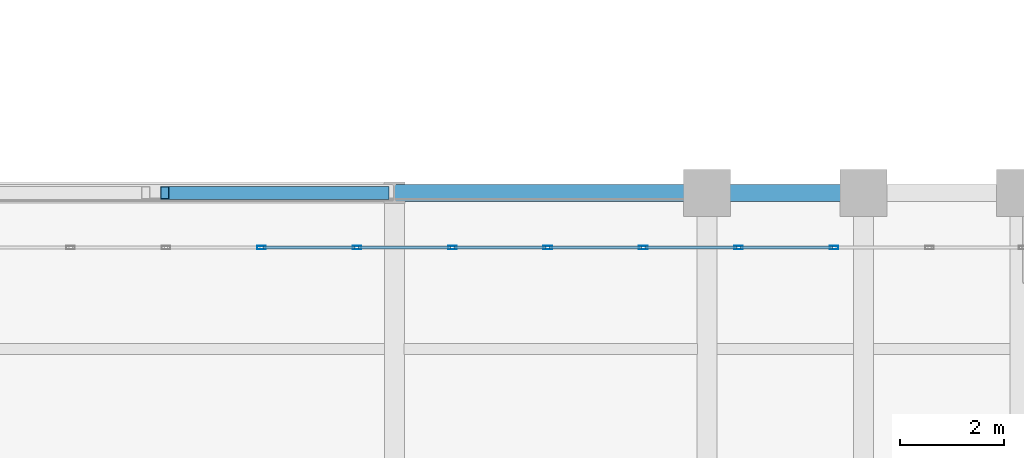
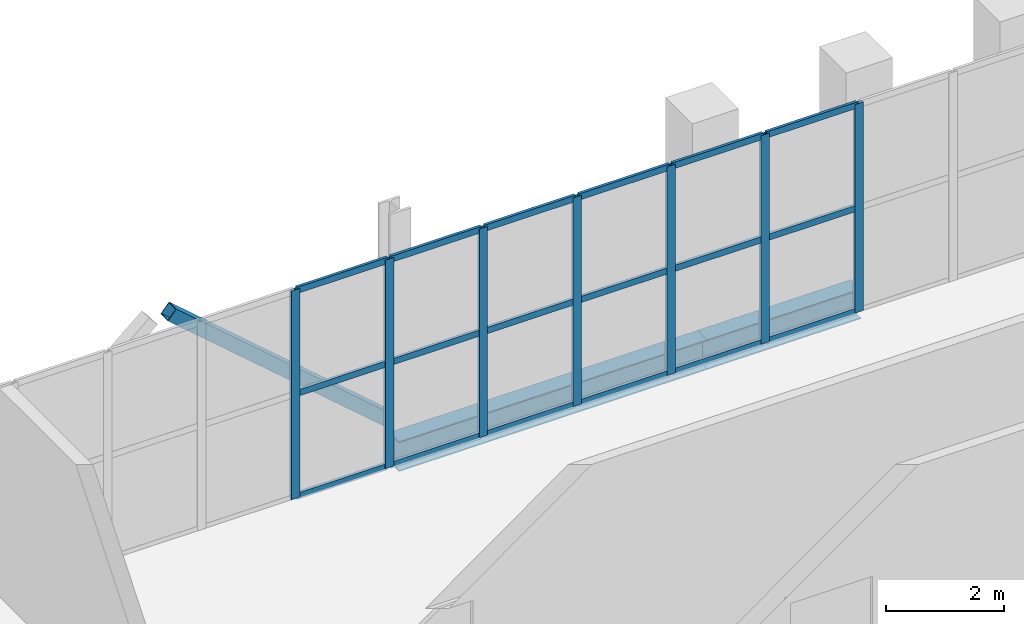
# One storey, part 17 of 26: 26 members, 2 beams, 1 element without a shape of its own.
"""IFC4 building model written with IfcOpenShell, lengths in metres."""

from ifc_helpers import new_model, si_unit, direction, frame, origin, origin_2d, place, context, subcontext, project, spatial, hollow_rectangle, i_section, extrude, material, layer, layer_set, material_profile, profile_set, type_object, element, aggregate, save


model = new_model("IFC4")

# Units and contexts
model_context = context("Model", 3, precision=1e-05, world=origin(), true_north=direction((0.0, 1.0)))
body_context = subcontext(model_context, "Body", "Model", "MODEL_VIEW")
ifc_project = project(units=[si_unit("LENGTHUNIT", "METRE"), si_unit("AREAUNIT", "SQUARE_METRE"), si_unit("VOLUMEUNIT", "CUBIC_METRE"), si_unit("PLANEANGLEUNIT", "RADIAN"), si_unit("MASSUNIT", "GRAM", prefix="KILO")], contexts=[model_context])

# Site, building, storey
site_placement = place(None, origin())
site = spatial("IfcSite", under=ifc_project, at=site_placement, CompositionType="ELEMENT")
building_placement = place(site_placement, origin())
building = spatial("IfcBuilding", under=site, at=building_placement, Name="Mawjdan Bourse Tower", CompositionType="ELEMENT")
storey_placement = place(building_placement, frame((0.0, 0.0, 226.800048828125)))
storey = spatial("IfcBuildingStorey", under=building, at=storey_placement, Name="L55", CompositionType="ELEMENT", Elevation=226.800048828125)

# Member
ifc_material_1 = material(Name="Structural Steel S355", Category="steel")
ifc_material_profile_1 = material_profile(ifc_material_1, hollow_rectangle(XDim=0.25, YDim=0.25, WallThickness=0.012451171875, at=origin_2d()), Name="HSS250X250X12.5")
ifc_profile_set_1 = profile_set([ifc_material_profile_1], Name="Structural Steel S355")
member_type_1 = type_object("IfcMemberType", Name="BRC-HSS250X250X12.5", PredefinedType="BRACE", material=ifc_profile_set_1)
member_1_placement = place(storey_placement, frame((37.595947265625, 21.0, 3.849853515625), z_axis=(0.756383065472, 0.0, -0.65412893092), x_axis=(0.0, 1.0, 0.0)))
element("IfcMember", 1, at=member_1_placement, inside=storey, type_object=member_type_1, Name="L55 East Outrigger Truss 2 Diagonal 4", PredefinedType="BRACE", context=body_context, shape_type="SweptSolid", body=[
    extrude(hollow_rectangle(XDim=0.25, YDim=0.25, WallThickness=0.012451171875, at=origin_2d()), origin(), (0.0, 0.0, 1.0), 5.579833984375),
])

# Curtain wall, members
ifc_material_2 = material(Name="Thermally Broken Aluminium and Solar Glass", Category="aluminium")
ifc_layer = layer(ifc_material_2, 0.219970703125)
ifc_layer_set = layer_set([ifc_layer], Name="Thermally Broken Aluminium and Solar Glass")
curtain_wall_type = type_object("IfcCurtainWallType", Name="CW-RFG", PredefinedType="USERDEFINED", material=ifc_layer_set)
curtain_wall_placement = place(storey_placement, origin())
curtain_wall = element("IfcCurtainWall", 2, at=curtain_wall_placement, inside=storey, type_object=curtain_wall_type, Name="L55 Refuge Band North Louvre Curtain Wall", ObjectType="REFUGE BAND LOUVRE SCREEN", PredefinedType="USERDEFINED")
ifc_material_3 = material(Name="Thermally Broken Anodised Aluminium", Category="aluminium")
ifc_material_profile_2 = material_profile(ifc_material_3, hollow_rectangle(XDim=0.06494140625, YDim=0.1650390625, WallThickness=0.00390625, at=origin_2d()), Name="ALU-MUL-165X65")
ifc_profile_set_2 = profile_set([ifc_material_profile_2], Name="Thermally Broken Anodised Aluminium")
member_type_2 = type_object("IfcMemberType", Name="MUL-ALU-MUL-165X65", PredefinedType="MULLION", material=ifc_profile_set_2)
member_2_placement = place(storey_placement, frame((50.4375, 19.949951171875, 0.0), z_axis=(0.0, 0.0, 1.0), x_axis=(0.0, -1.0, 0.0)))
member_2 = element("IfcMember", 3, at=member_2_placement, type_object=member_type_2, Name="CW-RFG-L55-RFG-N mullion 3", PredefinedType="MULLION", context=body_context, shape_type="SweptSolid", body=[
    extrude(hollow_rectangle(XDim=0.06494140625, YDim=0.1650390625, WallThickness=0.00390625, at=origin_2d()), origin(), (0.0, 0.0, 1.0), 4.300048828125),
])
member_3_placement = place(storey_placement, frame((48.606201171875, 19.949951171875, 0.0), z_axis=(0.0, 0.0, 1.0), x_axis=(0.0, -1.0, 0.0)))
member_3 = element("IfcMember", 4, at=member_3_placement, type_object=member_type_2, Name="CW-RFG-L55-RFG-N mullion 4", PredefinedType="MULLION", context=body_context, shape_type="SweptSolid", body=[
    extrude(hollow_rectangle(XDim=0.06494140625, YDim=0.1650390625, WallThickness=0.00390625, at=origin_2d()), origin(), (0.0, 0.0, 1.0), 4.300048828125),
])
member_4_placement = place(storey_placement, frame((46.77490234375, 19.949951171875, 0.0), z_axis=(0.0, 0.0, 1.0), x_axis=(0.0, -1.0, 0.0)))
member_4 = element("IfcMember", 5, at=member_4_placement, type_object=member_type_2, Name="CW-RFG-L55-RFG-N mullion 5", PredefinedType="MULLION", context=body_context, shape_type="SweptSolid", body=[
    extrude(hollow_rectangle(XDim=0.06494140625, YDim=0.1650390625, WallThickness=0.00390625, at=origin_2d()), origin(), (0.0, 0.0, 1.0), 4.300048828125),
])
member_5_placement = place(storey_placement, frame((44.94384765625, 19.949951171875, 0.0), z_axis=(0.0, 0.0, 1.0), x_axis=(0.0, -1.0, 0.0)))
member_5 = element("IfcMember", 6, at=member_5_placement, type_object=member_type_2, Name="CW-RFG-L55-RFG-N mullion 6", PredefinedType="MULLION", context=body_context, shape_type="SweptSolid", body=[
    extrude(hollow_rectangle(XDim=0.06494140625, YDim=0.1650390625, WallThickness=0.00390625, at=origin_2d()), origin(), (0.0, 0.0, 1.0), 4.300048828125),
])
member_6_placement = place(storey_placement, frame((43.112548828125, 19.949951171875, 0.0), z_axis=(0.0, 0.0, 1.0), x_axis=(0.0, -1.0, 0.0)))
member_6 = element("IfcMember", 7, at=member_6_placement, type_object=member_type_2, Name="CW-RFG-L55-RFG-N mullion 7", PredefinedType="MULLION", context=body_context, shape_type="SweptSolid", body=[
    extrude(hollow_rectangle(XDim=0.06494140625, YDim=0.1650390625, WallThickness=0.00390625, at=origin_2d()), origin(), (0.0, 0.0, 1.0), 4.300048828125),
])
member_7_placement = place(storey_placement, frame((41.28125, 19.949951171875, 0.0), z_axis=(0.0, 0.0, 1.0), x_axis=(0.0, -1.0, 0.0)))
member_7 = element("IfcMember", 8, at=member_7_placement, type_object=member_type_2, Name="CW-RFG-L55-RFG-N mullion 8", PredefinedType="MULLION", context=body_context, shape_type="SweptSolid", body=[
    extrude(hollow_rectangle(XDim=0.06494140625, YDim=0.1650390625, WallThickness=0.00390625, at=origin_2d()), origin(), (0.0, 0.0, 1.0), 4.300048828125),
])
member_8_placement = place(storey_placement, frame((39.449951171875, 19.949951171875, 0.0), z_axis=(0.0, 0.0, 1.0), x_axis=(0.0, -1.0, 0.0)))
member_8 = element("IfcMember", 9, at=member_8_placement, type_object=member_type_2, Name="CW-RFG-L55-RFG-N mullion 9", PredefinedType="MULLION", context=body_context, shape_type="SweptSolid", body=[
    extrude(hollow_rectangle(XDim=0.06494140625, YDim=0.1650390625, WallThickness=0.00390625, at=origin_2d()), origin(), (0.0, 0.0, 1.0), 4.300048828125),
])

# Beams
ifc_material_profile_3 = material_profile(ifc_material_1, i_section(OverallWidth=0.324951171875, OverallDepth=0.616943359375, WebThickness=0.013916015625, FlangeThickness=0.021484375, FilletRadius=0.017333984375, at=origin_2d()), Name="W24X117")
ifc_profile_set_3 = profile_set([ifc_material_profile_3], Name="Structural Steel S355")
beam_type = type_object("IfcBeamType", Name="SPN-W24X117", PredefinedType="SPANDREL", material=ifc_profile_set_3)
beam_1_placement = place(storey_placement, frame((42.0, 21.0, -0.588623046875), z_axis=(1.0, 0.0, 0.0), x_axis=(0.0, 1.0, 0.0)))
element("IfcBeam", 10, at=beam_1_placement, inside=storey, type_object=beam_type, Name="L55 Perimeter Masonry-Shelf Spandrel 014", PredefinedType="SPANDREL", context=body_context, shape_type="SweptSolid", body=[
    extrude(i_section(OverallWidth=0.324951171875, OverallDepth=0.616943359375, WebThickness=0.013916015625, FlangeThickness=0.021484375, FilletRadius=0.017333984375, at=origin_2d()), origin(), (0.0, 0.0, 1.0), 6.0),
])
beam_2_placement = place(storey_placement, frame((48.0, 21.0, -0.588623046875), z_axis=(1.0, 0.0, 0.0), x_axis=(0.0, 1.0, 0.0)))
element("IfcBeam", 11, at=beam_2_placement, inside=storey, type_object=beam_type, Name="L55 Perimeter Masonry-Shelf Spandrel 015", PredefinedType="SPANDREL", context=body_context, shape_type="SweptSolid", body=[
    extrude(i_section(OverallWidth=0.324951171875, OverallDepth=0.616943359375, WebThickness=0.013916015625, FlangeThickness=0.021484375, FilletRadius=0.017333984375, at=origin_2d()), origin(), (0.0, 0.0, 1.0), 3.0),
])

# Member
ifc_material_profile_4 = material_profile(ifc_material_3, hollow_rectangle(XDim=0.054931640625, YDim=0.1298828125, WallThickness=0.00341796875, at=origin_2d()), Name="ALU-TRN-130X55")
ifc_profile_set_4 = profile_set([ifc_material_profile_4], Name="Thermally Broken Anodised Aluminium")
member_type_3 = type_object("IfcMemberType", Name="TRN-ALU-TRN-130X55", PredefinedType="USERDEFINED", material=ifc_profile_set_4)
member_9_placement = place(storey_placement, frame((50.405029296875, 19.949951171875, 0.02734375), z_axis=(-1.0, 0.0, 0.0), x_axis=(0.0, -1.0, 0.0)))
member_9 = element("IfcMember", 12, at=member_9_placement, type_object=member_type_3, Name="CW-RFG-L55-RFG-N transom 3.1", ObjectType="TRANSOM", PredefinedType="USERDEFINED", context=body_context, shape_type="SweptSolid", body=[
    extrude(hollow_rectangle(XDim=0.054931640625, YDim=0.1298828125, WallThickness=0.00341796875, at=origin_2d()), origin(), (0.0, 0.0, 1.0), 1.766357421875),
])

member_10_placement = place(storey_placement, frame((50.405029296875, 19.949951171875, 2.14990234375), z_axis=(-1.0, 0.0, 0.0), x_axis=(0.0, -1.0, 0.0)))
member_10 = element("IfcMember", 13, at=member_10_placement, type_object=member_type_3, Name="CW-RFG-L55-RFG-N transom 3.2", ObjectType="TRANSOM", PredefinedType="USERDEFINED", context=body_context, shape_type="SweptSolid", body=[
    extrude(hollow_rectangle(XDim=0.054931640625, YDim=0.1298828125, WallThickness=0.00341796875, at=origin_2d()), origin(), (0.0, 0.0, 1.0), 1.766357421875),
])

member_11_placement = place(storey_placement, frame((50.405029296875, 19.949951171875, 4.2724609375), z_axis=(-1.0, 0.0, 0.0), x_axis=(0.0, -1.0, 0.0)))
member_11 = element("IfcMember", 14, at=member_11_placement, type_object=member_type_3, Name="CW-RFG-L55-RFG-N transom 3.3", ObjectType="TRANSOM", PredefinedType="USERDEFINED", context=body_context, shape_type="SweptSolid", body=[
    extrude(hollow_rectangle(XDim=0.054931640625, YDim=0.1298828125, WallThickness=0.00341796875, at=origin_2d()), origin(), (0.0, 0.0, 1.0), 1.766357421875),
])

member_12_placement = place(storey_placement, frame((48.57373046875, 19.949951171875, 0.02734375), z_axis=(-1.0, 0.0, 0.0), x_axis=(0.0, -1.0, 0.0)))
member_12 = element("IfcMember", 15, at=member_12_placement, type_object=member_type_3, Name="CW-RFG-L55-RFG-N transom 4.1", ObjectType="TRANSOM", PredefinedType="USERDEFINED", context=body_context, shape_type="SweptSolid", body=[
    extrude(hollow_rectangle(XDim=0.054931640625, YDim=0.1298828125, WallThickness=0.00341796875, at=origin_2d()), origin(), (0.0, 0.0, 1.0), 1.76611328125),
])

member_13_placement = place(storey_placement, frame((48.57373046875, 19.949951171875, 2.14990234375), z_axis=(-1.0, 0.0, 0.0), x_axis=(0.0, -1.0, 0.0)))
member_13 = element("IfcMember", 16, at=member_13_placement, type_object=member_type_3, Name="CW-RFG-L55-RFG-N transom 4.2", ObjectType="TRANSOM", PredefinedType="USERDEFINED", context=body_context, shape_type="SweptSolid", body=[
    extrude(hollow_rectangle(XDim=0.054931640625, YDim=0.1298828125, WallThickness=0.00341796875, at=origin_2d()), origin(), (0.0, 0.0, 1.0), 1.76611328125),
])

member_14_placement = place(storey_placement, frame((48.57373046875, 19.949951171875, 4.2724609375), z_axis=(-1.0, 0.0, 0.0), x_axis=(0.0, -1.0, 0.0)))
member_14 = element("IfcMember", 17, at=member_14_placement, type_object=member_type_3, Name="CW-RFG-L55-RFG-N transom 4.3", ObjectType="TRANSOM", PredefinedType="USERDEFINED", context=body_context, shape_type="SweptSolid", body=[
    extrude(hollow_rectangle(XDim=0.054931640625, YDim=0.1298828125, WallThickness=0.00341796875, at=origin_2d()), origin(), (0.0, 0.0, 1.0), 1.76611328125),
])

member_15_placement = place(storey_placement, frame((46.742431640625, 19.949951171875, 0.02734375), z_axis=(-1.0, 0.0, 0.0), x_axis=(0.0, -1.0, 0.0)))
member_15 = element("IfcMember", 18, at=member_15_placement, type_object=member_type_3, Name="CW-RFG-L55-RFG-N transom 5.1", ObjectType="TRANSOM", PredefinedType="USERDEFINED", context=body_context, shape_type="SweptSolid", body=[
    extrude(hollow_rectangle(XDim=0.054931640625, YDim=0.1298828125, WallThickness=0.00341796875, at=origin_2d()), origin(), (0.0, 0.0, 1.0), 1.76611328125),
])

member_16_placement = place(storey_placement, frame((46.742431640625, 19.949951171875, 2.14990234375), z_axis=(-1.0, 0.0, 0.0), x_axis=(0.0, -1.0, 0.0)))
member_16 = element("IfcMember", 19, at=member_16_placement, type_object=member_type_3, Name="CW-RFG-L55-RFG-N transom 5.2", ObjectType="TRANSOM", PredefinedType="USERDEFINED", context=body_context, shape_type="SweptSolid", body=[
    extrude(hollow_rectangle(XDim=0.054931640625, YDim=0.1298828125, WallThickness=0.00341796875, at=origin_2d()), origin(), (0.0, 0.0, 1.0), 1.76611328125),
])

member_17_placement = place(storey_placement, frame((46.742431640625, 19.949951171875, 4.2724609375), z_axis=(-1.0, 0.0, 0.0), x_axis=(0.0, -1.0, 0.0)))
member_17 = element("IfcMember", 20, at=member_17_placement, type_object=member_type_3, Name="CW-RFG-L55-RFG-N transom 5.3", ObjectType="TRANSOM", PredefinedType="USERDEFINED", context=body_context, shape_type="SweptSolid", body=[
    extrude(hollow_rectangle(XDim=0.054931640625, YDim=0.1298828125, WallThickness=0.00341796875, at=origin_2d()), origin(), (0.0, 0.0, 1.0), 1.76611328125),
])

member_18_placement = place(storey_placement, frame((44.9111328125, 19.949951171875, 0.02734375), z_axis=(-1.0, 0.0, 0.0), x_axis=(0.0, -1.0, 0.0)))
member_18 = element("IfcMember", 21, at=member_18_placement, type_object=member_type_3, Name="CW-RFG-L55-RFG-N transom 6.1", ObjectType="TRANSOM", PredefinedType="USERDEFINED", context=body_context, shape_type="SweptSolid", body=[
    extrude(hollow_rectangle(XDim=0.054931640625, YDim=0.1298828125, WallThickness=0.00341796875, at=origin_2d()), origin(), (0.0, 0.0, 1.0), 1.76611328125),
])

member_19_placement = place(storey_placement, frame((44.9111328125, 19.949951171875, 2.14990234375), z_axis=(-1.0, 0.0, 0.0), x_axis=(0.0, -1.0, 0.0)))
member_19 = element("IfcMember", 22, at=member_19_placement, type_object=member_type_3, Name="CW-RFG-L55-RFG-N transom 6.2", ObjectType="TRANSOM", PredefinedType="USERDEFINED", context=body_context, shape_type="SweptSolid", body=[
    extrude(hollow_rectangle(XDim=0.054931640625, YDim=0.1298828125, WallThickness=0.00341796875, at=origin_2d()), origin(), (0.0, 0.0, 1.0), 1.76611328125),
])

member_20_placement = place(storey_placement, frame((44.9111328125, 19.949951171875, 4.2724609375), z_axis=(-1.0, 0.0, 0.0), x_axis=(0.0, -1.0, 0.0)))
member_20 = element("IfcMember", 23, at=member_20_placement, type_object=member_type_3, Name="CW-RFG-L55-RFG-N transom 6.3", ObjectType="TRANSOM", PredefinedType="USERDEFINED", context=body_context, shape_type="SweptSolid", body=[
    extrude(hollow_rectangle(XDim=0.054931640625, YDim=0.1298828125, WallThickness=0.00341796875, at=origin_2d()), origin(), (0.0, 0.0, 1.0), 1.76611328125),
])

member_21_placement = place(storey_placement, frame((43.080078125, 19.949951171875, 0.02734375), z_axis=(-1.0, 0.0, 0.0), x_axis=(0.0, -1.0, 0.0)))
member_21 = element("IfcMember", 24, at=member_21_placement, type_object=member_type_3, Name="CW-RFG-L55-RFG-N transom 7.1", ObjectType="TRANSOM", PredefinedType="USERDEFINED", context=body_context, shape_type="SweptSolid", body=[
    extrude(hollow_rectangle(XDim=0.054931640625, YDim=0.1298828125, WallThickness=0.00341796875, at=origin_2d()), origin(), (0.0, 0.0, 1.0), 1.766357421875),
])

member_22_placement = place(storey_placement, frame((43.080078125, 19.949951171875, 2.14990234375), z_axis=(-1.0, 0.0, 0.0), x_axis=(0.0, -1.0, 0.0)))
member_22 = element("IfcMember", 25, at=member_22_placement, type_object=member_type_3, Name="CW-RFG-L55-RFG-N transom 7.2", ObjectType="TRANSOM", PredefinedType="USERDEFINED", context=body_context, shape_type="SweptSolid", body=[
    extrude(hollow_rectangle(XDim=0.054931640625, YDim=0.1298828125, WallThickness=0.00341796875, at=origin_2d()), origin(), (0.0, 0.0, 1.0), 1.766357421875),
])

member_23_placement = place(storey_placement, frame((43.080078125, 19.949951171875, 4.2724609375), z_axis=(-1.0, 0.0, 0.0), x_axis=(0.0, -1.0, 0.0)))
member_23 = element("IfcMember", 26, at=member_23_placement, type_object=member_type_3, Name="CW-RFG-L55-RFG-N transom 7.3", ObjectType="TRANSOM", PredefinedType="USERDEFINED", context=body_context, shape_type="SweptSolid", body=[
    extrude(hollow_rectangle(XDim=0.054931640625, YDim=0.1298828125, WallThickness=0.00341796875, at=origin_2d()), origin(), (0.0, 0.0, 1.0), 1.766357421875),
])

member_24_placement = place(storey_placement, frame((41.248779296875, 19.949951171875, 0.02734375), z_axis=(-1.0, 0.0, 0.0), x_axis=(0.0, -1.0, 0.0)))
member_24 = element("IfcMember", 27, at=member_24_placement, type_object=member_type_3, Name="CW-RFG-L55-RFG-N transom 8.1", ObjectType="TRANSOM", PredefinedType="USERDEFINED", context=body_context, shape_type="SweptSolid", body=[
    extrude(hollow_rectangle(XDim=0.054931640625, YDim=0.1298828125, WallThickness=0.00341796875, at=origin_2d()), origin(), (0.0, 0.0, 1.0), 1.766357421875),
])

member_25_placement = place(storey_placement, frame((41.248779296875, 19.949951171875, 2.14990234375), z_axis=(-1.0, 0.0, 0.0), x_axis=(0.0, -1.0, 0.0)))
member_25 = element("IfcMember", 28, at=member_25_placement, type_object=member_type_3, Name="CW-RFG-L55-RFG-N transom 8.2", ObjectType="TRANSOM", PredefinedType="USERDEFINED", context=body_context, shape_type="SweptSolid", body=[
    extrude(hollow_rectangle(XDim=0.054931640625, YDim=0.1298828125, WallThickness=0.00341796875, at=origin_2d()), origin(), (0.0, 0.0, 1.0), 1.766357421875),
])

member_26_placement = place(storey_placement, frame((41.248779296875, 19.949951171875, 4.2724609375), z_axis=(-1.0, 0.0, 0.0), x_axis=(0.0, -1.0, 0.0)))
member_26 = element("IfcMember", 29, at=member_26_placement, type_object=member_type_3, Name="CW-RFG-L55-RFG-N transom 8.3", ObjectType="TRANSOM", PredefinedType="USERDEFINED", context=body_context, shape_type="SweptSolid", body=[
    extrude(hollow_rectangle(XDim=0.054931640625, YDim=0.1298828125, WallThickness=0.00341796875, at=origin_2d()), origin(), (0.0, 0.0, 1.0), 1.766357421875),
])

aggregate(curtain_wall, [member_2, member_3, member_4, member_5, member_6, member_7, member_8, member_9, member_10, member_11, member_12, member_13, member_14, member_15, member_16, member_17, member_18, member_19, member_20, member_21, member_22, member_23, member_24, member_25, member_26])

save(model, "model.ifc")
